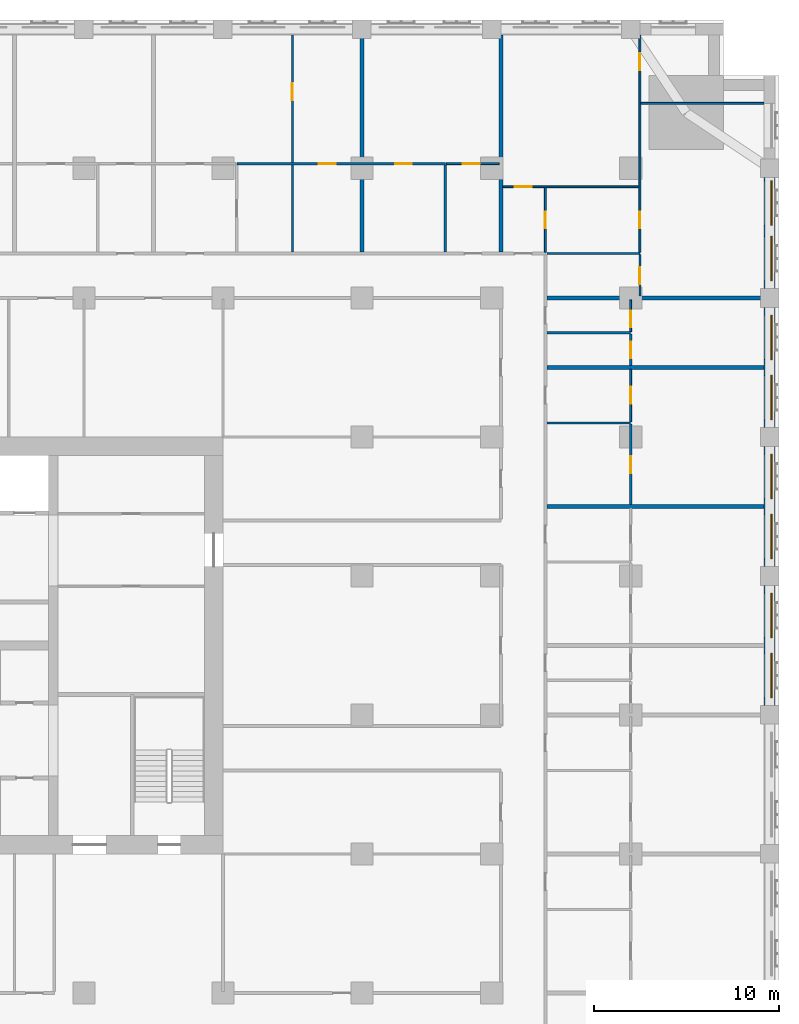
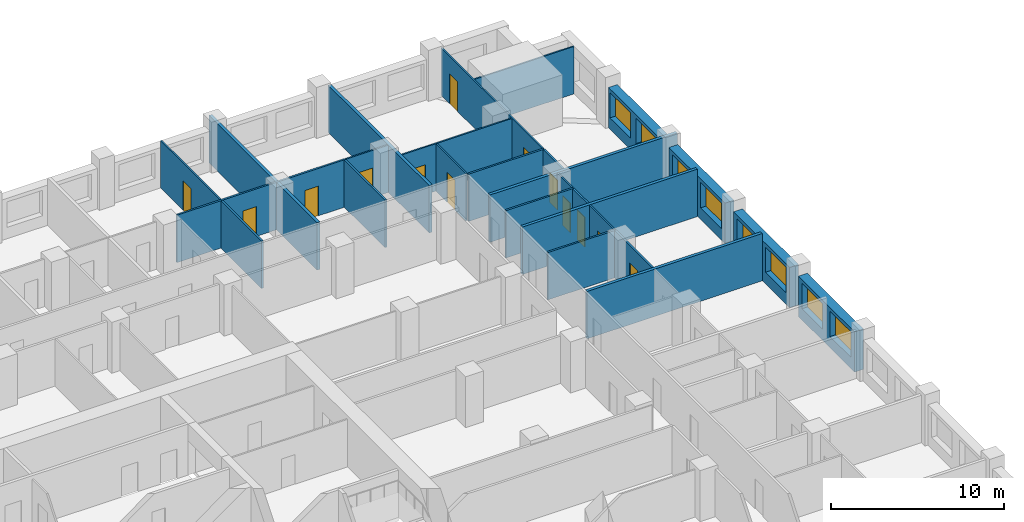
# One storey, part 10 of 14: 26 walls, 13 doors, 8 windows, 21 openings.
"""IFC4 building model written with IfcOpenShell, lengths in metres."""

from ifc_helpers import new_model, si_unit, direction, frame, frame_2d, origin, place, context, subcontext, project, spatial, rectangle, extrude, material, layer, layer_set, type_object, element, fill, save


model = new_model("IFC4")

# Units and contexts
model_context = context("Model", 3, precision=1e-05, world=origin(), true_north=direction((0.0, 1.0)))
body_context = subcontext(model_context, "Body", "Model", "MODEL_VIEW")
ifc_project = project(units=[si_unit("LENGTHUNIT", "METRE"), si_unit("AREAUNIT", "SQUARE_METRE"), si_unit("VOLUMEUNIT", "CUBIC_METRE"), si_unit("PLANEANGLEUNIT", "RADIAN"), si_unit("MASSUNIT", "GRAM", prefix="KILO")], contexts=[model_context])

# Site, building, storey
site_placement = place(None, origin())
site = spatial("IfcSite", under=ifc_project, at=site_placement, CompositionType="ELEMENT")
building_placement = place(site_placement, origin())
building = spatial("IfcBuilding", under=site, at=building_placement, Name="Tamorin Gate", CompositionType="ELEMENT")
storey_placement = place(building_placement, frame((0.0, 0.0, 37.60009765625)))
storey = spatial("IfcBuildingStorey", under=building, at=storey_placement, Name="L07", CompositionType="ELEMENT", Elevation=37.60009765625)

# Wall, openings, windows
ifc_material_1 = material(Name="Precast concrete C40/50", Category="concrete")
ifc_layer_1 = layer(ifc_material_1, 0.60009765625)
ifc_layer_set_1 = layer_set([ifc_layer_1], Name="Precast concrete C40/50")
wall_type_1 = type_object("IfcWallType", Name="Board-marked concrete facade panel 600", PredefinedType="SOLIDWALL", material=ifc_layer_set_1)
wall_1_placement = place(storey_placement, frame((89.5, 68.0, 0.0), z_axis=(0.0, 0.0, 1.0), x_axis=(0.0, 1.0, 0.0)))
wall_1 = element("IfcWall", 1, at=wall_1_placement, inside=storey, type_object=wall_type_1, Name="Facade panel", PredefinedType="SOLIDWALL", context=body_context, shape_type="SweptSolid", body=[
    extrude(rectangle(XDim=6.5, YDim=0.60009765625, at=frame_2d((3.25, 0.0))), origin(), (0.0, 0.0, 1.0), 2.849853515625),
])
opening_1_placement = place(wall_1_placement, frame((0.425048828125, 0.0, 0.800048828125)))
opening_1 = element("IfcOpeningElement", 2, at=opening_1_placement, cuts=wall_1, Name="Opening WN1", PredefinedType="OPENING", context=body_context, shape_type="SweptSolid", body=[
    extrude(rectangle(XDim=2.39990234375, YDim=1.800048828125, at=frame_2d((1.199951171875, 0.89990234375))), frame((0.0, 0.31005859375, 0.0), z_axis=(0.0, -1.0, 0.0), x_axis=(1.0, 0.0, 0.0)), (0.0, 0.0, 1.0), 0.6201171875),
])
opening_2_placement = place(wall_1_placement, frame((3.675048828125, 0.0, 0.800048828125)))
opening_2 = element("IfcOpeningElement", 3, at=opening_2_placement, cuts=wall_1, Name="Opening WN1", PredefinedType="OPENING", context=body_context, shape_type="SweptSolid", body=[
    extrude(rectangle(XDim=2.39990234375, YDim=1.800048828125, at=frame_2d((1.199951171875, 0.89990234375))), frame((0.0, 0.31005859375, 0.0), z_axis=(0.0, -1.0, 0.0), x_axis=(1.0, 0.0, 0.0)), (0.0, 0.0, 1.0), 0.6201171875),
])
ifc_material_2 = material(Name="Clear glass in aluminium frame", Category="aluminium")
window_type = type_object("IfcWindowType", Name="Deep-set window 2400x1800", PartitioningType="SINGLE_PANEL", PredefinedType="WINDOW", material=ifc_material_2)
window_1_placement = place(opening_1_placement, origin())
window_1 = element("IfcWindow", 4, at=window_1_placement, inside=storey, type_object=window_type, Name="Deep-set window", OverallHeight=1.800048828125, OverallWidth=2.39990234375, PartitioningType="SINGLE_PANEL", PredefinedType="WINDOW", context=body_context, shape_type="SweptSolid", body=[
    extrude(rectangle(XDim=2.39990234375, YDim=1.800048828125, at=frame_2d((1.199951171875, 0.89990234375))), frame((0.0, -0.070068359375, 0.0), z_axis=(0.0, -1.0, 0.0), x_axis=(1.0, 0.0, 0.0)), (0.0, 0.0, 1.0), 0.06005859375),
])
fill(opening_1, window_1)
window_2_placement = place(opening_2_placement, origin())
window_2 = element("IfcWindow", 5, at=window_2_placement, inside=storey, type_object=window_type, Name="Deep-set window", OverallHeight=1.800048828125, OverallWidth=2.39990234375, PartitioningType="SINGLE_PANEL", PredefinedType="WINDOW", context=body_context, shape_type="SweptSolid", body=[
    extrude(rectangle(XDim=2.39990234375, YDim=1.800048828125, at=frame_2d((1.199951171875, 0.89990234375))), frame((0.0, -0.070068359375, 0.0), z_axis=(0.0, -1.0, 0.0), x_axis=(1.0, 0.0, 0.0)), (0.0, 0.0, 1.0), 0.06005859375),
])
fill(opening_2, window_2)

wall_2_placement = place(storey_placement, frame((89.5, 75.5, 0.0), z_axis=(0.0, 0.0, 1.0), x_axis=(0.0, 1.0, 0.0)))
wall_2 = element("IfcWall", 6, at=wall_2_placement, inside=storey, type_object=wall_type_1, Name="Facade panel", PredefinedType="SOLIDWALL", context=body_context, shape_type="SweptSolid", body=[
    extrude(rectangle(XDim=6.5, YDim=0.60009765625, at=frame_2d((3.25, 0.0))), origin(), (0.0, 0.0, 1.0), 2.849853515625),
])
opening_3_placement = place(wall_2_placement, frame((0.425048828125, 0.0, 0.800048828125)))
opening_3 = element("IfcOpeningElement", 7, at=opening_3_placement, cuts=wall_2, Name="Opening WN1", PredefinedType="OPENING", context=body_context, shape_type="SweptSolid", body=[
    extrude(rectangle(XDim=2.39990234375, YDim=1.800048828125, at=frame_2d((1.199951171875, 0.89990234375))), frame((0.0, 0.31005859375, 0.0), z_axis=(0.0, -1.0, 0.0), x_axis=(1.0, 0.0, 0.0)), (0.0, 0.0, 1.0), 0.6201171875),
])
opening_4_placement = place(wall_2_placement, frame((3.675048828125, 0.0, 0.800048828125)))
opening_4 = element("IfcOpeningElement", 8, at=opening_4_placement, cuts=wall_2, Name="Opening WN1", PredefinedType="OPENING", context=body_context, shape_type="SweptSolid", body=[
    extrude(rectangle(XDim=2.39990234375, YDim=1.800048828125, at=frame_2d((1.199951171875, 0.89990234375))), frame((0.0, 0.31005859375, 0.0), z_axis=(0.0, -1.0, 0.0), x_axis=(1.0, 0.0, 0.0)), (0.0, 0.0, 1.0), 0.6201171875),
])
window_3_placement = place(opening_3_placement, origin())
window_3 = element("IfcWindow", 9, at=window_3_placement, inside=storey, type_object=window_type, Name="Deep-set window", OverallHeight=1.800048828125, OverallWidth=2.39990234375, PartitioningType="SINGLE_PANEL", PredefinedType="WINDOW", context=body_context, shape_type="SweptSolid", body=[
    extrude(rectangle(XDim=2.39990234375, YDim=1.800048828125, at=frame_2d((1.199951171875, 0.89990234375))), frame((0.0, -0.070068359375, 0.0), z_axis=(0.0, -1.0, 0.0), x_axis=(1.0, 0.0, 0.0)), (0.0, 0.0, 1.0), 0.06005859375),
])
fill(opening_3, window_3)
window_4_placement = place(opening_4_placement, origin())
window_4 = element("IfcWindow", 10, at=window_4_placement, inside=storey, type_object=window_type, Name="Deep-set window", OverallHeight=1.800048828125, OverallWidth=2.39990234375, PartitioningType="SINGLE_PANEL", PredefinedType="WINDOW", context=body_context, shape_type="SweptSolid", body=[
    extrude(rectangle(XDim=2.39990234375, YDim=1.800048828125, at=frame_2d((1.199951171875, 0.89990234375))), frame((0.0, -0.070068359375, 0.0), z_axis=(0.0, -1.0, 0.0), x_axis=(1.0, 0.0, 0.0)), (0.0, 0.0, 1.0), 0.06005859375),
])
fill(opening_4, window_4)

wall_3_placement = place(storey_placement, frame((89.5, 83.0, 0.0), z_axis=(0.0, 0.0, 1.0), x_axis=(0.0, 1.0, 0.0)))
wall_3 = element("IfcWall", 11, at=wall_3_placement, inside=storey, type_object=wall_type_1, Name="Facade panel", PredefinedType="SOLIDWALL", context=body_context, shape_type="SweptSolid", body=[
    extrude(rectangle(XDim=6.5, YDim=0.60009765625, at=frame_2d((3.25, 0.0))), origin(), (0.0, 0.0, 1.0), 2.849853515625),
])
opening_5_placement = place(wall_3_placement, frame((0.425048828125, 0.0, 0.800048828125)))
opening_5 = element("IfcOpeningElement", 12, at=opening_5_placement, cuts=wall_3, Name="Opening WN1", PredefinedType="OPENING", context=body_context, shape_type="SweptSolid", body=[
    extrude(rectangle(XDim=2.39990234375, YDim=1.800048828125, at=frame_2d((1.199951171875, 0.89990234375))), frame((0.0, 0.31005859375, 0.0), z_axis=(0.0, -1.0, 0.0), x_axis=(1.0, 0.0, 0.0)), (0.0, 0.0, 1.0), 0.6201171875),
])
opening_6_placement = place(wall_3_placement, frame((3.675048828125, 0.0, 0.800048828125)))
opening_6 = element("IfcOpeningElement", 13, at=opening_6_placement, cuts=wall_3, Name="Opening WN1", PredefinedType="OPENING", context=body_context, shape_type="SweptSolid", body=[
    extrude(rectangle(XDim=2.39990234375, YDim=1.800048828125, at=frame_2d((1.199951171875, 0.89990234375))), frame((0.0, 0.31005859375, 0.0), z_axis=(0.0, -1.0, 0.0), x_axis=(1.0, 0.0, 0.0)), (0.0, 0.0, 1.0), 0.6201171875),
])
window_5_placement = place(opening_5_placement, origin())
window_5 = element("IfcWindow", 14, at=window_5_placement, inside=storey, type_object=window_type, Name="Deep-set window", OverallHeight=1.800048828125, OverallWidth=2.39990234375, PartitioningType="SINGLE_PANEL", PredefinedType="WINDOW", context=body_context, shape_type="SweptSolid", body=[
    extrude(rectangle(XDim=2.39990234375, YDim=1.800048828125, at=frame_2d((1.199951171875, 0.89990234375))), frame((0.0, -0.070068359375, 0.0), z_axis=(0.0, -1.0, 0.0), x_axis=(1.0, 0.0, 0.0)), (0.0, 0.0, 1.0), 0.06005859375),
])
fill(opening_5, window_5)
window_6_placement = place(opening_6_placement, origin())
window_6 = element("IfcWindow", 15, at=window_6_placement, inside=storey, type_object=window_type, Name="Deep-set window", OverallHeight=1.800048828125, OverallWidth=2.39990234375, PartitioningType="SINGLE_PANEL", PredefinedType="WINDOW", context=body_context, shape_type="SweptSolid", body=[
    extrude(rectangle(XDim=2.39990234375, YDim=1.800048828125, at=frame_2d((1.199951171875, 0.89990234375))), frame((0.0, -0.070068359375, 0.0), z_axis=(0.0, -1.0, 0.0), x_axis=(1.0, 0.0, 0.0)), (0.0, 0.0, 1.0), 0.06005859375),
])
fill(opening_6, window_6)

wall_4_placement = place(storey_placement, frame((89.5, 90.5, 0.0), z_axis=(0.0, 0.0, 1.0), x_axis=(0.0, 1.0, 0.0)))
wall_4 = element("IfcWall", 16, at=wall_4_placement, inside=storey, type_object=wall_type_1, Name="Facade panel", PredefinedType="SOLIDWALL", context=body_context, shape_type="SweptSolid", body=[
    extrude(rectangle(XDim=6.0, YDim=0.60009765625, at=frame_2d((3.0, 0.0))), origin(), (0.0, 0.0, 1.0), 2.849853515625),
])
opening_7_placement = place(wall_4_placement, frame((0.425048828125, 0.0, 0.800048828125)))
opening_7 = element("IfcOpeningElement", 17, at=opening_7_placement, cuts=wall_4, Name="Opening WN1", PredefinedType="OPENING", context=body_context, shape_type="SweptSolid", body=[
    extrude(rectangle(XDim=2.39990234375, YDim=1.800048828125, at=frame_2d((1.199951171875, 0.89990234375))), frame((0.0, 0.31005859375, 0.0), z_axis=(0.0, -1.0, 0.0), x_axis=(1.0, 0.0, 0.0)), (0.0, 0.0, 1.0), 0.6201171875),
])
opening_8_placement = place(wall_4_placement, frame((3.425048828125, 0.0, 0.800048828125)))
opening_8 = element("IfcOpeningElement", 18, at=opening_8_placement, cuts=wall_4, Name="Opening WN1", PredefinedType="OPENING", context=body_context, shape_type="SweptSolid", body=[
    extrude(rectangle(XDim=2.39990234375, YDim=1.800048828125, at=frame_2d((1.199951171875, 0.89990234375))), frame((0.0, 0.31005859375, 0.0), z_axis=(0.0, -1.0, 0.0), x_axis=(1.0, 0.0, 0.0)), (0.0, 0.0, 1.0), 0.6201171875),
])
window_7_placement = place(opening_7_placement, origin())
window_7 = element("IfcWindow", 19, at=window_7_placement, inside=storey, type_object=window_type, Name="Deep-set window", OverallHeight=1.800048828125, OverallWidth=2.39990234375, PartitioningType="SINGLE_PANEL", PredefinedType="WINDOW", context=body_context, shape_type="SweptSolid", body=[
    extrude(rectangle(XDim=2.39990234375, YDim=1.800048828125, at=frame_2d((1.199951171875, 0.89990234375))), frame((0.0, -0.070068359375, 0.0), z_axis=(0.0, -1.0, 0.0), x_axis=(1.0, 0.0, 0.0)), (0.0, 0.0, 1.0), 0.06005859375),
])
fill(opening_7, window_7)
window_8_placement = place(opening_8_placement, origin())
window_8 = element("IfcWindow", 20, at=window_8_placement, inside=storey, type_object=window_type, Name="Deep-set window", OverallHeight=1.800048828125, OverallWidth=2.39990234375, PartitioningType="SINGLE_PANEL", PredefinedType="WINDOW", context=body_context, shape_type="SweptSolid", body=[
    extrude(rectangle(XDim=2.39990234375, YDim=1.800048828125, at=frame_2d((1.199951171875, 0.89990234375))), frame((0.0, -0.070068359375, 0.0), z_axis=(0.0, -1.0, 0.0), x_axis=(1.0, 0.0, 0.0)), (0.0, 0.0, 1.0), 0.06005859375),
])
fill(opening_8, window_8)

# Walls
ifc_material_3 = material(Name="Gypsum board partition")
ifc_layer_2 = layer(ifc_material_3, 0.199951171875)
ifc_layer_set_2 = layer_set([ifc_layer_2], Name="Demising wall 200")
wall_type_2 = type_object("IfcWallType", Name="Demising wall 200", PredefinedType="PARTITIONING", material=ifc_layer_set_2)
for number, where, z_axis, x_axis, name in (
    (21, (77.47509765625, 78.75, 0.0), (0.0, 0.0, 1.0), (1.0, 0.0, 0.0), "Demising wall 200"),
    (22, (77.47509765625, 86.25, 0.0), (0.0, 0.0, 1.0), (1.0, 0.0, 0.0), "Demising wall 200"),
):
    element("IfcWall", number, at=place(storey_placement, frame(where, z_axis=z_axis, x_axis=x_axis)), inside=storey, type_object=wall_type_2, Name=name, PredefinedType="PARTITIONING", context=body_context, shape_type="SweptSolid", body=[
        extrude(rectangle(XDim=11.71484375, YDim=0.199951171875, at=frame_2d((5.857421875, 0.0))), origin(), (0.0, 0.0, 1.0), 3.349853515625),
    ])
for number, where, z_axis, x_axis, name in (
    (23, (77.47509765625, 90.0, 0.0), (0.0, 0.0, 1.0), (1.0, 0.0, 0.0), "Demising wall 200"),
    (24, (67.5, 92.47509765625, 0.0), (0.0, 0.0, 1.0), (0.0, 1.0, 0.0), "Demising wall 200"),
):
    element("IfcWall", number, at=place(storey_placement, frame(where, z_axis=z_axis, x_axis=x_axis)), inside=storey, type_object=wall_type_2, Name=name, PredefinedType="PARTITIONING", context=body_context, shape_type="SweptSolid", body=[
        extrude(rectangle(XDim=12.52490234375, YDim=0.199951171875, at=frame_2d((6.262451171875, 0.0))), origin(), (0.0, 0.0, 1.0), 3.349853515625),
    ])
wall_5_placement = place(storey_placement, frame((75.0, 92.47509765625, 0.0), z_axis=(0.0, 0.0, 1.0), x_axis=(0.0, 1.0, 0.0)))
element("IfcWall", 25, at=wall_5_placement, inside=storey, type_object=wall_type_2, Name="Demising wall 200", PredefinedType="PARTITIONING", context=body_context, shape_type="SweptSolid", body=[
    extrude(rectangle(XDim=11.71484375, YDim=0.199951171875, at=frame_2d((5.857421875, 0.0))), origin(), (0.0, 0.0, 1.0), 3.349853515625),
])

# Wall, opening, door
ifc_layer_3 = layer(ifc_material_3, 0.10009765625)
ifc_layer_set_3 = layer_set([ifc_layer_3], Name="Room partition 100")
wall_type_3 = type_object("IfcWallType", Name="Room partition 100", PredefinedType="PARTITIONING", material=ifc_layer_set_3)
wall_6_placement = place(storey_placement, frame((75.10009765625, 96.0, 0.0), z_axis=(0.0, 0.0, 1.0), x_axis=(1.0, 0.0, 0.0)))
wall_6 = element("IfcWall", 26, at=wall_6_placement, inside=storey, type_object=wall_type_3, Name="Room partition 100", PredefinedType="PARTITIONING", context=body_context, shape_type="SweptSolid", body=[
    extrude(rectangle(XDim=7.349853515625, YDim=0.10009765625, at=frame_2d((3.6748046875, 0.0))), origin(), (0.0, 0.0, 1.0), 3.349853515625),
])
opening_9_placement = place(wall_6_placement, frame((0.64990234375, 0.0, 0.0)))
opening_9 = element("IfcOpeningElement", 27, at=opening_9_placement, cuts=wall_6, Name="Opening DH2062", PredefinedType="OPENING", context=body_context, shape_type="SweptSolid", body=[
    extrude(rectangle(XDim=0.89990234375, YDim=2.10009765625, at=frame_2d((0.449951171875, 1.050048828125))), frame((0.0, 0.06005859375, 0.0), z_axis=(0.0, -1.0, 0.0), x_axis=(1.0, 0.0, 0.0)), (0.0, 0.0, 1.0), 0.1201171875),
])
ifc_material_4 = material(Name="Timber door leaf", Category="wood")
door_type = type_object("IfcDoorType", Name="Door 900 x 2100", OperationType="NOTDEFINED", PredefinedType="DOOR", material=ifc_material_4)
door_1_placement = place(opening_9_placement, origin())
door_1 = element("IfcDoor", 28, at=door_1_placement, inside=storey, type_object=door_type, Name="Door DH2062", OperationType="SINGLE_SWING_LEFT", OverallHeight=2.10009765625, OverallWidth=0.89990234375, PredefinedType="DOOR", context=body_context, shape_type="SweptSolid", body=[
    extrude(rectangle(XDim=0.89990234375, YDim=2.10009765625, at=frame_2d((0.449951171875, 1.050048828125))), frame((0.0, 0.02490234375, 0.0), z_axis=(0.0, -1.0, 0.0), x_axis=(1.0, 0.0, 0.0)), (0.0, 0.0, 1.0), 0.050048828125),
])
fill(opening_9, door_1)

wall_7_placement = place(storey_placement, frame((72.0625, 97.25, 0.0), z_axis=(0.0, 0.0, 1.0), x_axis=(1.0, 0.0, 0.0)))
wall_7 = element("IfcWall", 29, at=wall_7_placement, inside=storey, type_object=wall_type_3, Name="Room partition 100", PredefinedType="PARTITIONING", context=body_context, shape_type="SweptSolid", body=[
    extrude(rectangle(XDim=2.83740234375, YDim=0.10009765625, at=frame_2d((1.418701171875, 0.0))), origin(), (0.0, 0.0, 1.0), 3.349853515625),
])
opening_10_placement = place(wall_7_placement, frame((0.887451171875, 0.0, 0.0)))
opening_10 = element("IfcOpeningElement", 30, at=opening_10_placement, cuts=wall_7, Name="Opening DH2036", PredefinedType="OPENING", context=body_context, shape_type="SweptSolid", body=[
    extrude(rectangle(XDim=0.89990234375, YDim=2.10009765625, at=frame_2d((0.449951171875, 1.050048828125))), frame((0.0, 0.06005859375, 0.0), z_axis=(0.0, -1.0, 0.0), x_axis=(1.0, 0.0, 0.0)), (0.0, 0.0, 1.0), 0.1201171875),
])
door_2_placement = place(opening_10_placement, origin())
door_2 = element("IfcDoor", 31, at=door_2_placement, inside=storey, type_object=door_type, Name="Door DH2036", OperationType="SINGLE_SWING_RIGHT", OverallHeight=2.10009765625, OverallWidth=0.89990234375, PredefinedType="DOOR", context=body_context, shape_type="SweptSolid", body=[
    extrude(rectangle(XDim=0.89990234375, YDim=2.10009765625, at=frame_2d((0.449951171875, 1.050048828125))), frame((0.0, 0.02490234375, 0.0), z_axis=(0.0, -1.0, 0.0), x_axis=(1.0, 0.0, 0.0)), (0.0, 0.0, 1.0), 0.050048828125),
])
fill(opening_10, door_2)

# Wall
wall_8_placement = place(storey_placement, frame((82.550048828125, 100.5, 0.0), z_axis=(0.0, 0.0, 1.0), x_axis=(1.0, 0.0, 0.0)))
element("IfcWall", 32, at=wall_8_placement, inside=storey, type_object=wall_type_3, Name="Room partition 100", PredefinedType="PARTITIONING", context=body_context, shape_type="SweptSolid", body=[
    extrude(rectangle(XDim=6.639892578125, YDim=0.10009765625, at=frame_2d((3.31982421875, 0.0))), origin(), (0.0, 0.0, 1.0), 3.349853515625),
])

# Wall, opening, door
wall_9_placement = place(storey_placement, frame((63.75, 97.3125, 0.0), z_axis=(0.0, 0.0, 1.0), x_axis=(0.0, 1.0, 0.0)))
wall_9 = element("IfcWall", 33, at=wall_9_placement, inside=storey, type_object=wall_type_3, Name="Room partition 100", PredefinedType="PARTITIONING", context=body_context, shape_type="SweptSolid", body=[
    extrude(rectangle(XDim=6.87744140625, YDim=0.10009765625, at=frame_2d((3.438720703125, 0.0))), origin(), (0.0, 0.0, 1.0), 3.349853515625),
])
opening_11_placement = place(wall_9_placement, frame((3.362548828125, 0.0, 0.0)))
opening_11 = element("IfcOpeningElement", 34, at=opening_11_placement, cuts=wall_9, Name="Opening DH2033", PredefinedType="OPENING", context=body_context, shape_type="SweptSolid", body=[
    extrude(rectangle(XDim=0.89990234375, YDim=2.10009765625, at=frame_2d((0.449951171875, 1.050048828125))), frame((0.0, 0.06005859375, 0.0), z_axis=(0.0, -1.0, 0.0), x_axis=(1.0, 0.0, 0.0)), (0.0, 0.0, 1.0), 0.1201171875),
])
door_3_placement = place(opening_11_placement, origin())
door_3 = element("IfcDoor", 35, at=door_3_placement, inside=storey, type_object=door_type, Name="Door DH2033", OperationType="SINGLE_SWING_LEFT", OverallHeight=2.10009765625, OverallWidth=0.89990234375, PredefinedType="DOOR", context=body_context, shape_type="SweptSolid", body=[
    extrude(rectangle(XDim=0.89990234375, YDim=2.10009765625, at=frame_2d((0.449951171875, 1.050048828125))), frame((0.0, 0.02490234375, 0.0), z_axis=(0.0, -1.0, 0.0), x_axis=(1.0, 0.0, 0.0)), (0.0, 0.0, 1.0), 0.050048828125),
])
fill(opening_11, door_3)

wall_10_placement = place(storey_placement, frame((77.39990234375, 92.47509765625, 0.0), z_axis=(0.0, 0.0, 1.0), x_axis=(0.0, 1.0, 0.0)))
wall_10 = element("IfcWall", 36, at=wall_10_placement, inside=storey, type_object=wall_type_3, Name="Room partition 100", PredefinedType="PARTITIONING", context=body_context, shape_type="SweptSolid", body=[
    extrude(rectangle(XDim=3.474853515625, YDim=0.10009765625, at=frame_2d((1.7373046875, 0.0))), origin(), (0.0, 0.0, 1.0), 3.349853515625),
])
opening_12_placement = place(wall_10_placement, frame((1.27490234375, 0.0, 0.0)))
opening_12 = element("IfcOpeningElement", 37, at=opening_12_placement, cuts=wall_10, Name="Opening DH2063", PredefinedType="OPENING", context=body_context, shape_type="SweptSolid", body=[
    extrude(rectangle(XDim=0.89990234375, YDim=2.10009765625, at=frame_2d((0.449951171875, 1.050048828125))), frame((0.0, 0.06005859375, 0.0), z_axis=(0.0, -1.0, 0.0), x_axis=(1.0, 0.0, 0.0)), (0.0, 0.0, 1.0), 0.1201171875),
])
door_4_placement = place(opening_12_placement, origin())
door_4 = element("IfcDoor", 38, at=door_4_placement, inside=storey, type_object=door_type, Name="Door DH2063", OperationType="SINGLE_SWING_RIGHT", OverallHeight=2.10009765625, OverallWidth=0.89990234375, PredefinedType="DOOR", context=body_context, shape_type="SweptSolid", body=[
    extrude(rectangle(XDim=0.89990234375, YDim=2.10009765625, at=frame_2d((0.449951171875, 1.050048828125))), frame((0.0, 0.02490234375, 0.0), z_axis=(0.0, -1.0, 0.0), x_axis=(1.0, 0.0, 0.0)), (0.0, 0.0, 1.0), 0.050048828125),
])
fill(opening_12, door_4)

wall_11_placement = place(storey_placement, frame((82.0, 83.3125, 0.0), z_axis=(0.0, 0.0, 1.0), x_axis=(0.0, 1.0, 0.0)))
wall_11 = element("IfcWall", 39, at=wall_11_placement, inside=storey, type_object=wall_type_3, Name="Room partition 100", PredefinedType="PARTITIONING", context=body_context, shape_type="SweptSolid", body=[
    extrude(rectangle(XDim=2.83740234375, YDim=0.10009765625, at=frame_2d((1.418701171875, 0.0))), origin(), (0.0, 0.0, 1.0), 3.349853515625),
])
opening_13_placement = place(wall_11_placement, frame((0.987548828125, 0.0, 0.0)))
opening_13 = element("IfcOpeningElement", 40, at=opening_13_placement, cuts=wall_11, Name="Opening DH2051", PredefinedType="OPENING", context=body_context, shape_type="SweptSolid", body=[
    extrude(rectangle(XDim=0.89990234375, YDim=2.10009765625, at=frame_2d((0.449951171875, 1.050048828125))), frame((0.0, 0.06005859375, 0.0), z_axis=(0.0, -1.0, 0.0), x_axis=(1.0, 0.0, 0.0)), (0.0, 0.0, 1.0), 0.1201171875),
])
door_5_placement = place(opening_13_placement, origin())
door_5 = element("IfcDoor", 41, at=door_5_placement, inside=storey, type_object=door_type, Name="Door DH2051", OperationType="SINGLE_SWING_LEFT", OverallHeight=2.10009765625, OverallWidth=0.89990234375, PredefinedType="DOOR", context=body_context, shape_type="SweptSolid", body=[
    extrude(rectangle(XDim=0.89990234375, YDim=2.10009765625, at=frame_2d((0.449951171875, 1.050048828125))), frame((0.0, 0.02490234375, 0.0), z_axis=(0.0, -1.0, 0.0), x_axis=(1.0, 0.0, 0.0)), (0.0, 0.0, 1.0), 0.050048828125),
])
fill(opening_13, door_5)

wall_12_placement = place(storey_placement, frame((82.0, 88.1875, 0.0), z_axis=(0.0, 0.0, 1.0), x_axis=(0.0, 1.0, 0.0)))
wall_12 = element("IfcWall", 42, at=wall_12_placement, inside=storey, type_object=wall_type_3, Name="Room partition 100", PredefinedType="PARTITIONING", context=body_context, shape_type="SweptSolid", body=[
    extrude(rectangle(XDim=1.71240234375, YDim=0.10009765625, at=frame_2d((0.856201171875, 0.0))), origin(), (0.0, 0.0, 1.0), 3.349853515625),
])
opening_14_placement = place(wall_12_placement, frame((0.22509765625, 0.0, 0.0)))
opening_14 = element("IfcOpeningElement", 43, at=opening_14_placement, cuts=wall_12, Name="Opening DH2054", PredefinedType="OPENING", context=body_context, shape_type="SweptSolid", body=[
    extrude(rectangle(XDim=0.89990234375, YDim=2.10009765625, at=frame_2d((0.449951171875, 1.050048828125))), frame((0.0, 0.06005859375, 0.0), z_axis=(0.0, -1.0, 0.0), x_axis=(1.0, 0.0, 0.0)), (0.0, 0.0, 1.0), 0.1201171875),
])
door_6_placement = place(opening_14_placement, origin())
door_6 = element("IfcDoor", 44, at=door_6_placement, inside=storey, type_object=door_type, Name="Door DH2054", OperationType="SINGLE_SWING_LEFT", OverallHeight=2.10009765625, OverallWidth=0.89990234375, PredefinedType="DOOR", context=body_context, shape_type="SweptSolid", body=[
    extrude(rectangle(XDim=0.89990234375, YDim=2.10009765625, at=frame_2d((0.449951171875, 1.050048828125))), frame((0.0, 0.02490234375, 0.0), z_axis=(0.0, -1.0, 0.0), x_axis=(1.0, 0.0, 0.0)), (0.0, 0.0, 1.0), 0.050048828125),
])
fill(opening_14, door_6)

# Wall, openings, doors
wall_13_placement = place(storey_placement, frame((82.5, 92.46240234375, 0.0), z_axis=(0.0, 0.0, 1.0), x_axis=(0.0, 1.0, 0.0)))
wall_13 = element("IfcWall", 45, at=wall_13_placement, inside=storey, type_object=wall_type_3, Name="Room partition 100", PredefinedType="PARTITIONING", context=body_context, shape_type="SweptSolid", body=[
    extrude(rectangle(XDim=11.7275390625, YDim=0.10009765625, at=frame_2d((5.86376953125, 0.0))), origin(), (0.0, 0.0, 1.0), 3.349853515625),
])
opening_15_placement = place(wall_13_placement, frame((9.83740234375, 0.0, 0.0)))
opening_15 = element("IfcOpeningElement", 46, at=opening_15_placement, cuts=wall_13, Name="Opening DH2064", PredefinedType="OPENING", context=body_context, shape_type="SweptSolid", body=[
    extrude(rectangle(XDim=0.89990234375, YDim=2.10009765625, at=frame_2d((0.449951171875, 1.050048828125))), frame((0.0, 0.06005859375, 0.0), z_axis=(0.0, -1.0, 0.0), x_axis=(1.0, 0.0, 0.0)), (0.0, 0.0, 1.0), 0.1201171875),
])
opening_16_placement = place(wall_13_placement, frame((1.28759765625, 0.0, 0.0)))
opening_16 = element("IfcOpeningElement", 47, at=opening_16_placement, cuts=wall_13, Name="Opening DH2065", PredefinedType="OPENING", context=body_context, shape_type="SweptSolid", body=[
    extrude(rectangle(XDim=0.89990234375, YDim=2.10009765625, at=frame_2d((0.449951171875, 1.050048828125))), frame((0.0, 0.06005859375, 0.0), z_axis=(0.0, -1.0, 0.0), x_axis=(1.0, 0.0, 0.0)), (0.0, 0.0, 1.0), 0.1201171875),
])
door_7_placement = place(opening_15_placement, origin())
door_7 = element("IfcDoor", 48, at=door_7_placement, inside=storey, type_object=door_type, Name="Door DH2064", OperationType="SINGLE_SWING_LEFT", OverallHeight=2.10009765625, OverallWidth=0.89990234375, PredefinedType="DOOR", context=body_context, shape_type="SweptSolid", body=[
    extrude(rectangle(XDim=0.89990234375, YDim=2.10009765625, at=frame_2d((0.449951171875, 1.050048828125))), frame((0.0, 0.02490234375, 0.0), z_axis=(0.0, -1.0, 0.0), x_axis=(1.0, 0.0, 0.0)), (0.0, 0.0, 1.0), 0.050048828125),
])
fill(opening_15, door_7)
door_8_placement = place(opening_16_placement, origin())
door_8 = element("IfcDoor", 49, at=door_8_placement, inside=storey, type_object=door_type, Name="Door DH2065", OperationType="SINGLE_SWING_RIGHT", OverallHeight=2.10009765625, OverallWidth=0.89990234375, PredefinedType="DOOR", context=body_context, shape_type="SweptSolid", body=[
    extrude(rectangle(XDim=0.89990234375, YDim=2.10009765625, at=frame_2d((0.449951171875, 1.050048828125))), frame((0.0, 0.02490234375, 0.0), z_axis=(0.0, -1.0, 0.0), x_axis=(1.0, 0.0, 0.0)), (0.0, 0.0, 1.0), 0.050048828125),
])
fill(opening_16, door_8)

# Walls
ifc_layer_4 = layer(ifc_material_3, 0.125)
ifc_layer_set_4 = layer_set([ifc_layer_4], Name="Wet wall 125")
wall_type_4 = type_object("IfcWallType", Name="Wet wall 125", PredefinedType="PARTITIONING", material=ifc_layer_set_4)
for number, where, z_axis, x_axis, name in (
    (50, (77.47509765625, 83.25, 0.0), (0.0, 0.0, 1.0), (1.0, 0.0, 0.0), "Wet wall 125"),
    (51, (77.47509765625, 88.125, 0.0), (0.0, 0.0, 1.0), (1.0, 0.0, 0.0), "Wet wall 125"),
):
    element("IfcWall", number, at=place(storey_placement, frame(where, z_axis=z_axis, x_axis=x_axis)), inside=storey, type_object=wall_type_4, Name=name, PredefinedType="PARTITIONING", context=body_context, shape_type="SweptSolid", body=[
        extrude(rectangle(XDim=4.52490234375, YDim=0.125, at=frame_2d((2.262451171875, 0.0))), origin(), (0.0, 0.0, 1.0), 3.349853515625),
    ])
wall_14_placement = place(storey_placement, frame((77.47509765625, 92.39990234375, 0.0), z_axis=(0.0, 0.0, 1.0), x_axis=(1.0, 0.0, 0.0)))
element("IfcWall", 52, at=wall_14_placement, inside=storey, type_object=wall_type_4, Name="Wet wall 125", PredefinedType="PARTITIONING", context=body_context, shape_type="SweptSolid", body=[
    extrude(rectangle(XDim=5.02490234375, YDim=0.125, at=frame_2d((2.512451171875, 0.0))), origin(), (0.0, 0.0, 1.0), 3.349853515625),
])

# Wall, openings, doors
wall_15_placement = place(storey_placement, frame((60.75, 97.25, 0.0), z_axis=(0.0, 0.0, 1.0), x_axis=(1.0, 0.0, 0.0)))
wall_15 = element("IfcWall", 53, at=wall_15_placement, inside=storey, type_object=wall_type_4, Name="Wet wall 125", PredefinedType="PARTITIONING", context=body_context, shape_type="SweptSolid", body=[
    extrude(rectangle(XDim=11.25, YDim=0.125, at=frame_2d((5.625, 0.0))), origin(), (0.0, 0.0, 1.0), 3.349853515625),
])
opening_17_placement = place(wall_15_placement, frame((4.425048828125, 0.0, 0.0)))
opening_17 = element("IfcOpeningElement", 54, at=opening_17_placement, cuts=wall_15, Name="Opening DH2032", PredefinedType="OPENING", context=body_context, shape_type="SweptSolid", body=[
    extrude(rectangle(XDim=0.89990234375, YDim=2.10009765625, at=frame_2d((0.449951171875, 1.050048828125))), frame((0.0, 0.072509765625, 0.0), z_axis=(0.0, -1.0, 0.0), x_axis=(1.0, 0.0, 0.0)), (0.0, 0.0, 1.0), 0.14501953125),
])
opening_18_placement = place(wall_15_placement, frame((8.550048828125, 0.0, 0.0)))
opening_18 = element("IfcOpeningElement", 55, at=opening_18_placement, cuts=wall_15, Name="Opening DH2034", PredefinedType="OPENING", context=body_context, shape_type="SweptSolid", body=[
    extrude(rectangle(XDim=0.89990234375, YDim=2.10009765625, at=frame_2d((0.449951171875, 1.050048828125))), frame((0.0, 0.072509765625, 0.0), z_axis=(0.0, -1.0, 0.0), x_axis=(1.0, 0.0, 0.0)), (0.0, 0.0, 1.0), 0.14501953125),
])
door_9_placement = place(opening_17_placement, origin())
door_9 = element("IfcDoor", 56, at=door_9_placement, inside=storey, type_object=door_type, Name="Door DH2032", OperationType="SINGLE_SWING_RIGHT", OverallHeight=2.10009765625, OverallWidth=0.89990234375, PredefinedType="DOOR", context=body_context, shape_type="SweptSolid", body=[
    extrude(rectangle(XDim=0.89990234375, YDim=2.10009765625, at=frame_2d((0.449951171875, 1.050048828125))), frame((0.0, 0.02490234375, 0.0), z_axis=(0.0, -1.0, 0.0), x_axis=(1.0, 0.0, 0.0)), (0.0, 0.0, 1.0), 0.050048828125),
])
fill(opening_17, door_9)
door_10_placement = place(opening_18_placement, origin())
door_10 = element("IfcDoor", 57, at=door_10_placement, inside=storey, type_object=door_type, Name="Door DH2034", OperationType="SINGLE_SWING_RIGHT", OverallHeight=2.10009765625, OverallWidth=0.89990234375, PredefinedType="DOOR", context=body_context, shape_type="SweptSolid", body=[
    extrude(rectangle(XDim=0.89990234375, YDim=2.10009765625, at=frame_2d((0.449951171875, 1.050048828125))), frame((0.0, 0.02490234375, 0.0), z_axis=(0.0, -1.0, 0.0), x_axis=(1.0, 0.0, 0.0)), (0.0, 0.0, 1.0), 0.050048828125),
])
fill(opening_18, door_10)

# Walls
for number, where, z_axis, x_axis, name in (
    (58, (63.75, 92.47509765625, 0.0), (0.0, 0.0, 1.0), (0.0, 1.0, 0.0), "Wet wall 125"),
    (59, (72.0, 92.47509765625, 0.0), (0.0, 0.0, 1.0), (0.0, 1.0, 0.0), "Wet wall 125"),
):
    element("IfcWall", number, at=place(storey_placement, frame(where, z_axis=z_axis, x_axis=x_axis)), inside=storey, type_object=wall_type_4, Name=name, PredefinedType="PARTITIONING", context=body_context, shape_type="SweptSolid", body=[
        extrude(rectangle(XDim=4.71240234375, YDim=0.125, at=frame_2d((2.356201171875, 0.0))), origin(), (0.0, 0.0, 1.0), 3.349853515625),
    ])

# Wall, opening, door
wall_16_placement = place(storey_placement, frame((82.0, 78.85009765625, 0.0), z_axis=(0.0, 0.0, 1.0), x_axis=(0.0, 1.0, 0.0)))
wall_16 = element("IfcWall", 60, at=wall_16_placement, inside=storey, type_object=wall_type_4, Name="Wet wall 125", PredefinedType="PARTITIONING", context=body_context, shape_type="SweptSolid", body=[
    extrude(rectangle(XDim=4.33740234375, YDim=0.125, at=frame_2d((2.168701171875, 0.0))), origin(), (0.0, 0.0, 1.0), 3.349853515625),
])
opening_19_placement = place(wall_16_placement, frame((1.699951171875, 0.0, 0.0)))
opening_19 = element("IfcOpeningElement", 61, at=opening_19_placement, cuts=wall_16, Name="Opening DH2049", PredefinedType="OPENING", context=body_context, shape_type="SweptSolid", body=[
    extrude(rectangle(XDim=0.89990234375, YDim=2.10009765625, at=frame_2d((0.449951171875, 1.050048828125))), frame((0.0, 0.072509765625, 0.0), z_axis=(0.0, -1.0, 0.0), x_axis=(1.0, 0.0, 0.0)), (0.0, 0.0, 1.0), 0.14501953125),
])
door_11_placement = place(opening_19_placement, origin())
door_11 = element("IfcDoor", 62, at=door_11_placement, inside=storey, type_object=door_type, Name="Door DH2049", OperationType="SINGLE_SWING_LEFT", OverallHeight=2.10009765625, OverallWidth=0.89990234375, PredefinedType="DOOR", context=body_context, shape_type="SweptSolid", body=[
    extrude(rectangle(XDim=0.89990234375, YDim=2.10009765625, at=frame_2d((0.449951171875, 1.050048828125))), frame((0.0, 0.02490234375, 0.0), z_axis=(0.0, -1.0, 0.0), x_axis=(1.0, 0.0, 0.0)), (0.0, 0.0, 1.0), 0.050048828125),
])
fill(opening_19, door_11)

wall_17_placement = place(storey_placement, frame((82.0, 86.35009765625, 0.0), z_axis=(0.0, 0.0, 1.0), x_axis=(0.0, 1.0, 0.0)))
wall_17 = element("IfcWall", 63, at=wall_17_placement, inside=storey, type_object=wall_type_4, Name="Wet wall 125", PredefinedType="PARTITIONING", context=body_context, shape_type="SweptSolid", body=[
    extrude(rectangle(XDim=1.71240234375, YDim=0.125, at=frame_2d((0.856201171875, 0.0))), origin(), (0.0, 0.0, 1.0), 3.349853515625),
])
opening_20_placement = place(wall_17_placement, frame((0.387451171875, 0.0, 0.0)))
opening_20 = element("IfcOpeningElement", 64, at=opening_20_placement, cuts=wall_17, Name="Opening DH2052", PredefinedType="OPENING", context=body_context, shape_type="SweptSolid", body=[
    extrude(rectangle(XDim=0.89990234375, YDim=2.10009765625, at=frame_2d((0.449951171875, 1.050048828125))), frame((0.0, 0.072509765625, 0.0), z_axis=(0.0, -1.0, 0.0), x_axis=(1.0, 0.0, 0.0)), (0.0, 0.0, 1.0), 0.14501953125),
])
door_12_placement = place(opening_20_placement, origin())
door_12 = element("IfcDoor", 65, at=door_12_placement, inside=storey, type_object=door_type, Name="Door DH2052", OperationType="SINGLE_SWING_LEFT", OverallHeight=2.10009765625, OverallWidth=0.89990234375, PredefinedType="DOOR", context=body_context, shape_type="SweptSolid", body=[
    extrude(rectangle(XDim=0.89990234375, YDim=2.10009765625, at=frame_2d((0.449951171875, 1.050048828125))), frame((0.0, 0.02490234375, 0.0), z_axis=(0.0, -1.0, 0.0), x_axis=(1.0, 0.0, 0.0)), (0.0, 0.0, 1.0), 0.050048828125),
])
fill(opening_20, door_12)

wall_18_placement = place(storey_placement, frame((82.5, 90.10009765625, 0.0), z_axis=(0.0, 0.0, 1.0), x_axis=(0.0, 1.0, 0.0)))
wall_18 = element("IfcWall", 66, at=wall_18_placement, inside=storey, type_object=wall_type_4, Name="Wet wall 125", PredefinedType="PARTITIONING", context=body_context, shape_type="SweptSolid", body=[
    extrude(rectangle(XDim=2.2373046875, YDim=0.125, at=frame_2d((1.11865234375, 0.0))), origin(), (0.0, 0.0, 1.0), 3.349853515625),
])
opening_21_placement = place(wall_18_placement, frame((0.64990234375, 0.0, 0.0)))
opening_21 = element("IfcOpeningElement", 67, at=opening_21_placement, cuts=wall_18, Name="Opening DH2066", PredefinedType="OPENING", context=body_context, shape_type="SweptSolid", body=[
    extrude(rectangle(XDim=0.89990234375, YDim=2.10009765625, at=frame_2d((0.449951171875, 1.050048828125))), frame((0.0, 0.072509765625, 0.0), z_axis=(0.0, -1.0, 0.0), x_axis=(1.0, 0.0, 0.0)), (0.0, 0.0, 1.0), 0.14501953125),
])
door_13_placement = place(opening_21_placement, origin())
door_13 = element("IfcDoor", 68, at=door_13_placement, inside=storey, type_object=door_type, Name="Door DH2066", OperationType="SINGLE_SWING_LEFT", OverallHeight=2.10009765625, OverallWidth=0.89990234375, PredefinedType="DOOR", context=body_context, shape_type="SweptSolid", body=[
    extrude(rectangle(XDim=0.89990234375, YDim=2.10009765625, at=frame_2d((0.449951171875, 1.050048828125))), frame((0.0, 0.02490234375, 0.0), z_axis=(0.0, -1.0, 0.0), x_axis=(1.0, 0.0, 0.0)), (0.0, 0.0, 1.0), 0.050048828125),
])
fill(opening_21, door_13)

save(model, "model.ifc")
